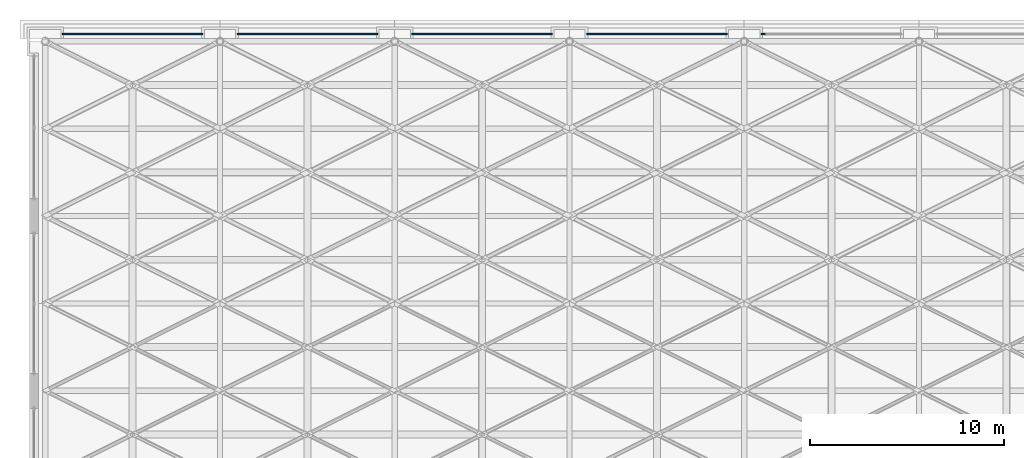
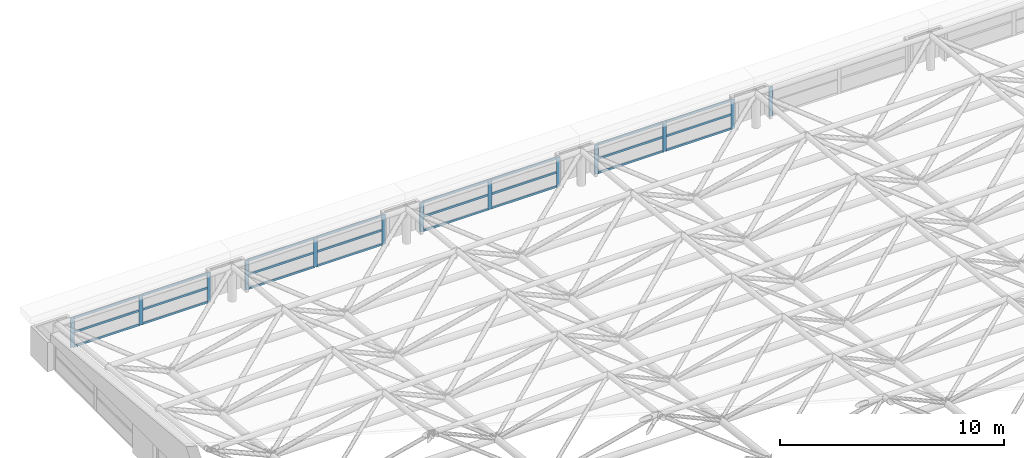
# One storey, part 20 of 53: 37 members, 5 elements without a shape of their own.
"""IFC4 building model written with IfcOpenShell, lengths in metres."""

from ifc_helpers import new_model, si_unit, direction, frame, origin, origin_2d, place, context, subcontext, project, spatial, rectangle, extrude, material, material_profile, profile_set, type_object, element, aggregate, save


model = new_model("IFC4")

# Units and contexts
model_context = context("Model", 3, precision=1e-05, world=origin(), true_north=direction((0.0, 1.0)))
body_context = subcontext(model_context, "Body", "Model", "MODEL_VIEW")
ifc_project = project(units=[si_unit("LENGTHUNIT", "METRE"), si_unit("AREAUNIT", "SQUARE_METRE"), si_unit("VOLUMEUNIT", "CUBIC_METRE"), si_unit("PLANEANGLEUNIT", "RADIAN"), si_unit("MASSUNIT", "GRAM", prefix="KILO")], contexts=[model_context])

# Site, building, storey
site_placement = place(None, origin())
site = spatial("IfcSite", under=ifc_project, at=site_placement, CompositionType="ELEMENT")
building_placement = place(site_placement, origin())
building = spatial("IfcBuilding", under=site, at=building_placement, Name="Aravalli Gate Trade Fair Centre", CompositionType="ELEMENT")
storey_placement = place(building_placement, frame((0.0, 0.0, 25.199951171875)))
storey = spatial("IfcBuildingStorey", under=building, at=storey_placement, Name="ROOF LEVEL 2", CompositionType="ELEMENT", Elevation=25.199951171875)

# Curtain wall, members
ifc_material_1 = material(Name="Aluminium, glass and louvre", Category="aluminium")
curtain_wall_type = type_object("IfcCurtainWallType", Name="Hall crown curtain wall 3000 module", PredefinedType="NOTDEFINED", material=ifc_material_1)
curtain_wall_1_placement = place(storey_placement, origin())
curtain_wall_1 = element("IfcCurtainWall", 1, at=curtain_wall_1_placement, inside=storey, type_object=curtain_wall_type, Name="Hall north crown curtain wall bay 1 ROOF LEVEL 2", PredefinedType="NOTDEFINED")
ifc_material_2 = material(Name="Aluminium", Category="aluminium")
ifc_material_profile_1 = material_profile(ifc_material_2, rectangle(XDim=0.06005859375, YDim=0.199951171875, at=origin_2d()), Name="Hall curtain wall mullion 60 x 200")
ifc_profile_set_1 = profile_set([ifc_material_profile_1], Name="Aluminium")
member_type_1 = type_object("IfcMemberType", Name="Hall curtain wall mullion 60 x 200", PredefinedType="MULLION", material=ifc_profile_set_1)
member_1_placement = place(storey_placement, frame((6.97998046875, 109.375, 0.0), z_axis=(0.0, 0.0, 1.0), x_axis=(0.0, 1.0, 0.0)))
member_1 = element("IfcMember", 2, at=member_1_placement, type_object=member_type_1, Name="HCW1 mullion 1", PredefinedType="MULLION", context=body_context, shape_type="SweptSolid", body=[
    extrude(rectangle(XDim=0.06005859375, YDim=0.199951171875, at=origin_2d()), origin(), (0.0, 0.0, 1.0), 1.60009765625),
])
member_2_placement = place(storey_placement, frame((10.5, 109.375, 0.0), z_axis=(0.0, 0.0, 1.0), x_axis=(0.0, 1.0, 0.0)))
member_2 = element("IfcMember", 3, at=member_2_placement, type_object=member_type_1, Name="HCW1 mullion 2", PredefinedType="MULLION", context=body_context, shape_type="SweptSolid", body=[
    extrude(rectangle(XDim=0.06005859375, YDim=0.199951171875, at=origin_2d()), origin(), (0.0, 0.0, 1.0), 1.60009765625),
])
member_3_placement = place(storey_placement, frame((14.02001953125, 109.375, 0.0), z_axis=(0.0, 0.0, 1.0), x_axis=(0.0, 1.0, 0.0)))
member_3 = element("IfcMember", 4, at=member_3_placement, type_object=member_type_1, Name="HCW1 mullion 3", PredefinedType="MULLION", context=body_context, shape_type="SweptSolid", body=[
    extrude(rectangle(XDim=0.06005859375, YDim=0.199951171875, at=origin_2d()), origin(), (0.0, 0.0, 1.0), 1.60009765625),
])

curtain_wall_2_placement = place(storey_placement, origin())
curtain_wall_2 = element("IfcCurtainWall", 5, at=curtain_wall_2_placement, inside=storey, type_object=curtain_wall_type, Name="Hall north crown curtain wall bay 2 ROOF LEVEL 2", PredefinedType="NOTDEFINED")
member_4_placement = place(storey_placement, frame((15.97998046875, 109.375, 0.0), z_axis=(0.0, 0.0, 1.0), x_axis=(0.0, 1.0, 0.0)))
member_4 = element("IfcMember", 6, at=member_4_placement, type_object=member_type_1, Name="HCW1 mullion 1", PredefinedType="MULLION", context=body_context, shape_type="SweptSolid", body=[
    extrude(rectangle(XDim=0.06005859375, YDim=0.199951171875, at=origin_2d()), origin(), (0.0, 0.0, 1.0), 1.60009765625),
])
member_5_placement = place(storey_placement, frame((19.5, 109.375, 0.0), z_axis=(0.0, 0.0, 1.0), x_axis=(0.0, 1.0, 0.0)))
member_5 = element("IfcMember", 7, at=member_5_placement, type_object=member_type_1, Name="HCW1 mullion 2", PredefinedType="MULLION", context=body_context, shape_type="SweptSolid", body=[
    extrude(rectangle(XDim=0.06005859375, YDim=0.199951171875, at=origin_2d()), origin(), (0.0, 0.0, 1.0), 1.60009765625),
])
member_6_placement = place(storey_placement, frame((23.02001953125, 109.375, 0.0), z_axis=(0.0, 0.0, 1.0), x_axis=(0.0, 1.0, 0.0)))
member_6 = element("IfcMember", 8, at=member_6_placement, type_object=member_type_1, Name="HCW1 mullion 3", PredefinedType="MULLION", context=body_context, shape_type="SweptSolid", body=[
    extrude(rectangle(XDim=0.06005859375, YDim=0.199951171875, at=origin_2d()), origin(), (0.0, 0.0, 1.0), 1.60009765625),
])

curtain_wall_3_placement = place(storey_placement, origin())
curtain_wall_3 = element("IfcCurtainWall", 9, at=curtain_wall_3_placement, inside=storey, type_object=curtain_wall_type, Name="Hall north crown curtain wall bay 3 ROOF LEVEL 2", PredefinedType="NOTDEFINED")
member_7_placement = place(storey_placement, frame((24.97998046875, 109.375, 0.0), z_axis=(0.0, 0.0, 1.0), x_axis=(0.0, 1.0, 0.0)))
member_7 = element("IfcMember", 10, at=member_7_placement, type_object=member_type_1, Name="HCW1 mullion 1", PredefinedType="MULLION", context=body_context, shape_type="SweptSolid", body=[
    extrude(rectangle(XDim=0.06005859375, YDim=0.199951171875, at=origin_2d()), origin(), (0.0, 0.0, 1.0), 1.60009765625),
])
member_8_placement = place(storey_placement, frame((28.5, 109.375, 0.0), z_axis=(0.0, 0.0, 1.0), x_axis=(0.0, 1.0, 0.0)))
member_8 = element("IfcMember", 11, at=member_8_placement, type_object=member_type_1, Name="HCW1 mullion 2", PredefinedType="MULLION", context=body_context, shape_type="SweptSolid", body=[
    extrude(rectangle(XDim=0.06005859375, YDim=0.199951171875, at=origin_2d()), origin(), (0.0, 0.0, 1.0), 1.60009765625),
])
member_9_placement = place(storey_placement, frame((32.02001953125, 109.375, 0.0), z_axis=(0.0, 0.0, 1.0), x_axis=(0.0, 1.0, 0.0)))
member_9 = element("IfcMember", 12, at=member_9_placement, type_object=member_type_1, Name="HCW1 mullion 3", PredefinedType="MULLION", context=body_context, shape_type="SweptSolid", body=[
    extrude(rectangle(XDim=0.06005859375, YDim=0.199951171875, at=origin_2d()), origin(), (0.0, 0.0, 1.0), 1.60009765625),
])

curtain_wall_4_placement = place(storey_placement, origin())
curtain_wall_4 = element("IfcCurtainWall", 13, at=curtain_wall_4_placement, inside=storey, type_object=curtain_wall_type, Name="Hall north crown curtain wall bay 4 ROOF LEVEL 2", PredefinedType="NOTDEFINED")
member_10_placement = place(storey_placement, frame((33.97998046875, 109.375, 0.0), z_axis=(0.0, 0.0, 1.0), x_axis=(0.0, 1.0, 0.0)))
member_10 = element("IfcMember", 14, at=member_10_placement, type_object=member_type_1, Name="HCW1 mullion 1", PredefinedType="MULLION", context=body_context, shape_type="SweptSolid", body=[
    extrude(rectangle(XDim=0.06005859375, YDim=0.199951171875, at=origin_2d()), origin(), (0.0, 0.0, 1.0), 1.60009765625),
])
member_11_placement = place(storey_placement, frame((37.5, 109.375, 0.0), z_axis=(0.0, 0.0, 1.0), x_axis=(0.0, 1.0, 0.0)))
member_11 = element("IfcMember", 15, at=member_11_placement, type_object=member_type_1, Name="HCW1 mullion 2", PredefinedType="MULLION", context=body_context, shape_type="SweptSolid", body=[
    extrude(rectangle(XDim=0.06005859375, YDim=0.199951171875, at=origin_2d()), origin(), (0.0, 0.0, 1.0), 1.60009765625),
])
member_12_placement = place(storey_placement, frame((41.02001953125, 109.375, 0.0), z_axis=(0.0, 0.0, 1.0), x_axis=(0.0, 1.0, 0.0)))
member_12 = element("IfcMember", 16, at=member_12_placement, type_object=member_type_1, Name="HCW1 mullion 3", PredefinedType="MULLION", context=body_context, shape_type="SweptSolid", body=[
    extrude(rectangle(XDim=0.06005859375, YDim=0.199951171875, at=origin_2d()), origin(), (0.0, 0.0, 1.0), 1.60009765625),
])

# Curtain wall, member
curtain_wall_5_placement = place(storey_placement, origin())
curtain_wall_5 = element("IfcCurtainWall", 17, at=curtain_wall_5_placement, inside=storey, type_object=curtain_wall_type, Name="Hall north crown curtain wall bay 5 ROOF LEVEL 2", PredefinedType="NOTDEFINED")
member_13_placement = place(storey_placement, frame((42.97998046875, 109.375, 0.0), z_axis=(0.0, 0.0, 1.0), x_axis=(0.0, 1.0, 0.0)))
member_13 = element("IfcMember", 18, at=member_13_placement, type_object=member_type_1, Name="HCW1 mullion 1", PredefinedType="MULLION", context=body_context, shape_type="SweptSolid", body=[
    extrude(rectangle(XDim=0.06005859375, YDim=0.199951171875, at=origin_2d()), origin(), (0.0, 0.0, 1.0), 1.60009765625),
])
aggregate(curtain_wall_5, [member_13])

# Member
ifc_material_profile_2 = material_profile(ifc_material_2, rectangle(XDim=0.06005859375, YDim=0.1201171875, at=origin_2d()), Name="Hall curtain wall transom 60 x 120")
ifc_profile_set_2 = profile_set([ifc_material_profile_2], Name="Aluminium")
member_type_2 = type_object("IfcMemberType", Name="Hall curtain wall transom 60 x 120", PredefinedType="USERDEFINED", material=ifc_profile_set_2)
member_14_placement = place(storey_placement, frame((7.010009765625, 109.375, 0.030029296875), z_axis=(1.0, 0.0, 0.0), x_axis=(0.0, 1.0, 0.0)))
member_14 = element("IfcMember", 19, at=member_14_placement, type_object=member_type_2, Name="HCW1 transom 1.1", ObjectType="TRANSOM", PredefinedType="USERDEFINED", context=body_context, shape_type="SweptSolid", body=[
    extrude(rectangle(XDim=0.06005859375, YDim=0.1201171875, at=origin_2d()), origin(), (0.0, 0.0, 1.0), 3.4599609375),
])

member_15_placement = place(storey_placement, frame((7.010009765625, 109.375, 0.800048828125), z_axis=(1.0, 0.0, 0.0), x_axis=(0.0, 1.0, 0.0)))
member_15 = element("IfcMember", 20, at=member_15_placement, type_object=member_type_2, Name="HCW1 transom 1.2", ObjectType="TRANSOM", PredefinedType="USERDEFINED", context=body_context, shape_type="SweptSolid", body=[
    extrude(rectangle(XDim=0.06005859375, YDim=0.1201171875, at=origin_2d()), origin(), (0.0, 0.0, 1.0), 3.4599609375),
])

member_16_placement = place(storey_placement, frame((7.010009765625, 109.375, 1.570068359375), z_axis=(1.0, 0.0, 0.0), x_axis=(0.0, 1.0, 0.0)))
member_16 = element("IfcMember", 21, at=member_16_placement, type_object=member_type_2, Name="HCW1 transom 1.3", ObjectType="TRANSOM", PredefinedType="USERDEFINED", context=body_context, shape_type="SweptSolid", body=[
    extrude(rectangle(XDim=0.06005859375, YDim=0.1201171875, at=origin_2d()), origin(), (0.0, 0.0, 1.0), 3.4599609375),
])

member_17_placement = place(storey_placement, frame((10.530029296875, 109.375, 0.030029296875), z_axis=(1.0, 0.0, 0.0), x_axis=(0.0, 1.0, 0.0)))
member_17 = element("IfcMember", 22, at=member_17_placement, type_object=member_type_2, Name="HCW1 transom 2.1", ObjectType="TRANSOM", PredefinedType="USERDEFINED", context=body_context, shape_type="SweptSolid", body=[
    extrude(rectangle(XDim=0.06005859375, YDim=0.1201171875, at=origin_2d()), origin(), (0.0, 0.0, 1.0), 3.4599609375),
])

member_18_placement = place(storey_placement, frame((10.530029296875, 109.375, 0.800048828125), z_axis=(1.0, 0.0, 0.0), x_axis=(0.0, 1.0, 0.0)))
member_18 = element("IfcMember", 23, at=member_18_placement, type_object=member_type_2, Name="HCW1 transom 2.2", ObjectType="TRANSOM", PredefinedType="USERDEFINED", context=body_context, shape_type="SweptSolid", body=[
    extrude(rectangle(XDim=0.06005859375, YDim=0.1201171875, at=origin_2d()), origin(), (0.0, 0.0, 1.0), 3.4599609375),
])

member_19_placement = place(storey_placement, frame((10.530029296875, 109.375, 1.570068359375), z_axis=(1.0, 0.0, 0.0), x_axis=(0.0, 1.0, 0.0)))
member_19 = element("IfcMember", 24, at=member_19_placement, type_object=member_type_2, Name="HCW1 transom 2.3", ObjectType="TRANSOM", PredefinedType="USERDEFINED", context=body_context, shape_type="SweptSolid", body=[
    extrude(rectangle(XDim=0.06005859375, YDim=0.1201171875, at=origin_2d()), origin(), (0.0, 0.0, 1.0), 3.4599609375),
])

aggregate(curtain_wall_1, [member_1, member_2, member_3, member_14, member_15, member_16, member_17, member_18, member_19])

member_20_placement = place(storey_placement, frame((16.010009765625, 109.375, 0.030029296875), z_axis=(1.0, 0.0, 0.0), x_axis=(0.0, 1.0, 0.0)))
member_20 = element("IfcMember", 25, at=member_20_placement, type_object=member_type_2, Name="HCW1 transom 1.1", ObjectType="TRANSOM", PredefinedType="USERDEFINED", context=body_context, shape_type="SweptSolid", body=[
    extrude(rectangle(XDim=0.06005859375, YDim=0.1201171875, at=origin_2d()), origin(), (0.0, 0.0, 1.0), 3.4599609375),
])

member_21_placement = place(storey_placement, frame((16.010009765625, 109.375, 0.800048828125), z_axis=(1.0, 0.0, 0.0), x_axis=(0.0, 1.0, 0.0)))
member_21 = element("IfcMember", 26, at=member_21_placement, type_object=member_type_2, Name="HCW1 transom 1.2", ObjectType="TRANSOM", PredefinedType="USERDEFINED", context=body_context, shape_type="SweptSolid", body=[
    extrude(rectangle(XDim=0.06005859375, YDim=0.1201171875, at=origin_2d()), origin(), (0.0, 0.0, 1.0), 3.4599609375),
])

member_22_placement = place(storey_placement, frame((16.010009765625, 109.375, 1.570068359375), z_axis=(1.0, 0.0, 0.0), x_axis=(0.0, 1.0, 0.0)))
member_22 = element("IfcMember", 27, at=member_22_placement, type_object=member_type_2, Name="HCW1 transom 1.3", ObjectType="TRANSOM", PredefinedType="USERDEFINED", context=body_context, shape_type="SweptSolid", body=[
    extrude(rectangle(XDim=0.06005859375, YDim=0.1201171875, at=origin_2d()), origin(), (0.0, 0.0, 1.0), 3.4599609375),
])

member_23_placement = place(storey_placement, frame((19.530029296875, 109.375, 0.030029296875), z_axis=(1.0, 0.0, 0.0), x_axis=(0.0, 1.0, 0.0)))
member_23 = element("IfcMember", 28, at=member_23_placement, type_object=member_type_2, Name="HCW1 transom 2.1", ObjectType="TRANSOM", PredefinedType="USERDEFINED", context=body_context, shape_type="SweptSolid", body=[
    extrude(rectangle(XDim=0.06005859375, YDim=0.1201171875, at=origin_2d()), origin(), (0.0, 0.0, 1.0), 3.4599609375),
])

member_24_placement = place(storey_placement, frame((19.530029296875, 109.375, 0.800048828125), z_axis=(1.0, 0.0, 0.0), x_axis=(0.0, 1.0, 0.0)))
member_24 = element("IfcMember", 29, at=member_24_placement, type_object=member_type_2, Name="HCW1 transom 2.2", ObjectType="TRANSOM", PredefinedType="USERDEFINED", context=body_context, shape_type="SweptSolid", body=[
    extrude(rectangle(XDim=0.06005859375, YDim=0.1201171875, at=origin_2d()), origin(), (0.0, 0.0, 1.0), 3.4599609375),
])

member_25_placement = place(storey_placement, frame((19.530029296875, 109.375, 1.570068359375), z_axis=(1.0, 0.0, 0.0), x_axis=(0.0, 1.0, 0.0)))
member_25 = element("IfcMember", 30, at=member_25_placement, type_object=member_type_2, Name="HCW1 transom 2.3", ObjectType="TRANSOM", PredefinedType="USERDEFINED", context=body_context, shape_type="SweptSolid", body=[
    extrude(rectangle(XDim=0.06005859375, YDim=0.1201171875, at=origin_2d()), origin(), (0.0, 0.0, 1.0), 3.4599609375),
])

aggregate(curtain_wall_2, [member_4, member_5, member_6, member_20, member_21, member_22, member_23, member_24, member_25])

member_26_placement = place(storey_placement, frame((25.010009765625, 109.375, 0.030029296875), z_axis=(1.0, 0.0, 0.0), x_axis=(0.0, 1.0, 0.0)))
member_26 = element("IfcMember", 31, at=member_26_placement, type_object=member_type_2, Name="HCW1 transom 1.1", ObjectType="TRANSOM", PredefinedType="USERDEFINED", context=body_context, shape_type="SweptSolid", body=[
    extrude(rectangle(XDim=0.06005859375, YDim=0.1201171875, at=origin_2d()), origin(), (0.0, 0.0, 1.0), 3.4599609375),
])

member_27_placement = place(storey_placement, frame((25.010009765625, 109.375, 0.800048828125), z_axis=(1.0, 0.0, 0.0), x_axis=(0.0, 1.0, 0.0)))
member_27 = element("IfcMember", 32, at=member_27_placement, type_object=member_type_2, Name="HCW1 transom 1.2", ObjectType="TRANSOM", PredefinedType="USERDEFINED", context=body_context, shape_type="SweptSolid", body=[
    extrude(rectangle(XDim=0.06005859375, YDim=0.1201171875, at=origin_2d()), origin(), (0.0, 0.0, 1.0), 3.4599609375),
])

member_28_placement = place(storey_placement, frame((25.010009765625, 109.375, 1.570068359375), z_axis=(1.0, 0.0, 0.0), x_axis=(0.0, 1.0, 0.0)))
member_28 = element("IfcMember", 33, at=member_28_placement, type_object=member_type_2, Name="HCW1 transom 1.3", ObjectType="TRANSOM", PredefinedType="USERDEFINED", context=body_context, shape_type="SweptSolid", body=[
    extrude(rectangle(XDim=0.06005859375, YDim=0.1201171875, at=origin_2d()), origin(), (0.0, 0.0, 1.0), 3.4599609375),
])

member_29_placement = place(storey_placement, frame((28.530029296875, 109.375, 0.030029296875), z_axis=(1.0, 0.0, 0.0), x_axis=(0.0, 1.0, 0.0)))
member_29 = element("IfcMember", 34, at=member_29_placement, type_object=member_type_2, Name="HCW1 transom 2.1", ObjectType="TRANSOM", PredefinedType="USERDEFINED", context=body_context, shape_type="SweptSolid", body=[
    extrude(rectangle(XDim=0.06005859375, YDim=0.1201171875, at=origin_2d()), origin(), (0.0, 0.0, 1.0), 3.4599609375),
])

member_30_placement = place(storey_placement, frame((28.530029296875, 109.375, 0.800048828125), z_axis=(1.0, 0.0, 0.0), x_axis=(0.0, 1.0, 0.0)))
member_30 = element("IfcMember", 35, at=member_30_placement, type_object=member_type_2, Name="HCW1 transom 2.2", ObjectType="TRANSOM", PredefinedType="USERDEFINED", context=body_context, shape_type="SweptSolid", body=[
    extrude(rectangle(XDim=0.06005859375, YDim=0.1201171875, at=origin_2d()), origin(), (0.0, 0.0, 1.0), 3.4599609375),
])

member_31_placement = place(storey_placement, frame((28.530029296875, 109.375, 1.570068359375), z_axis=(1.0, 0.0, 0.0), x_axis=(0.0, 1.0, 0.0)))
member_31 = element("IfcMember", 36, at=member_31_placement, type_object=member_type_2, Name="HCW1 transom 2.3", ObjectType="TRANSOM", PredefinedType="USERDEFINED", context=body_context, shape_type="SweptSolid", body=[
    extrude(rectangle(XDim=0.06005859375, YDim=0.1201171875, at=origin_2d()), origin(), (0.0, 0.0, 1.0), 3.4599609375),
])

aggregate(curtain_wall_3, [member_7, member_8, member_9, member_26, member_27, member_28, member_29, member_30, member_31])

member_32_placement = place(storey_placement, frame((34.010009765625, 109.375, 0.030029296875), z_axis=(1.0, 0.0, 0.0), x_axis=(0.0, 1.0, 0.0)))
member_32 = element("IfcMember", 37, at=member_32_placement, type_object=member_type_2, Name="HCW1 transom 1.1", ObjectType="TRANSOM", PredefinedType="USERDEFINED", context=body_context, shape_type="SweptSolid", body=[
    extrude(rectangle(XDim=0.06005859375, YDim=0.1201171875, at=origin_2d()), origin(), (0.0, 0.0, 1.0), 3.4599609375),
])

member_33_placement = place(storey_placement, frame((34.010009765625, 109.375, 0.800048828125), z_axis=(1.0, 0.0, 0.0), x_axis=(0.0, 1.0, 0.0)))
member_33 = element("IfcMember", 38, at=member_33_placement, type_object=member_type_2, Name="HCW1 transom 1.2", ObjectType="TRANSOM", PredefinedType="USERDEFINED", context=body_context, shape_type="SweptSolid", body=[
    extrude(rectangle(XDim=0.06005859375, YDim=0.1201171875, at=origin_2d()), origin(), (0.0, 0.0, 1.0), 3.4599609375),
])

member_34_placement = place(storey_placement, frame((34.010009765625, 109.375, 1.570068359375), z_axis=(1.0, 0.0, 0.0), x_axis=(0.0, 1.0, 0.0)))
member_34 = element("IfcMember", 39, at=member_34_placement, type_object=member_type_2, Name="HCW1 transom 1.3", ObjectType="TRANSOM", PredefinedType="USERDEFINED", context=body_context, shape_type="SweptSolid", body=[
    extrude(rectangle(XDim=0.06005859375, YDim=0.1201171875, at=origin_2d()), origin(), (0.0, 0.0, 1.0), 3.4599609375),
])

member_35_placement = place(storey_placement, frame((37.530029296875, 109.375, 0.030029296875), z_axis=(1.0, 0.0, 0.0), x_axis=(0.0, 1.0, 0.0)))
member_35 = element("IfcMember", 40, at=member_35_placement, type_object=member_type_2, Name="HCW1 transom 2.1", ObjectType="TRANSOM", PredefinedType="USERDEFINED", context=body_context, shape_type="SweptSolid", body=[
    extrude(rectangle(XDim=0.06005859375, YDim=0.1201171875, at=origin_2d()), origin(), (0.0, 0.0, 1.0), 3.4599609375),
])

member_36_placement = place(storey_placement, frame((37.530029296875, 109.375, 0.800048828125), z_axis=(1.0, 0.0, 0.0), x_axis=(0.0, 1.0, 0.0)))
member_36 = element("IfcMember", 41, at=member_36_placement, type_object=member_type_2, Name="HCW1 transom 2.2", ObjectType="TRANSOM", PredefinedType="USERDEFINED", context=body_context, shape_type="SweptSolid", body=[
    extrude(rectangle(XDim=0.06005859375, YDim=0.1201171875, at=origin_2d()), origin(), (0.0, 0.0, 1.0), 3.4599609375),
])

member_37_placement = place(storey_placement, frame((37.530029296875, 109.375, 1.570068359375), z_axis=(1.0, 0.0, 0.0), x_axis=(0.0, 1.0, 0.0)))
member_37 = element("IfcMember", 42, at=member_37_placement, type_object=member_type_2, Name="HCW1 transom 2.3", ObjectType="TRANSOM", PredefinedType="USERDEFINED", context=body_context, shape_type="SweptSolid", body=[
    extrude(rectangle(XDim=0.06005859375, YDim=0.1201171875, at=origin_2d()), origin(), (0.0, 0.0, 1.0), 3.4599609375),
])

aggregate(curtain_wall_4, [member_10, member_11, member_12, member_32, member_33, member_34, member_35, member_36, member_37])

save(model, "model.ifc")
